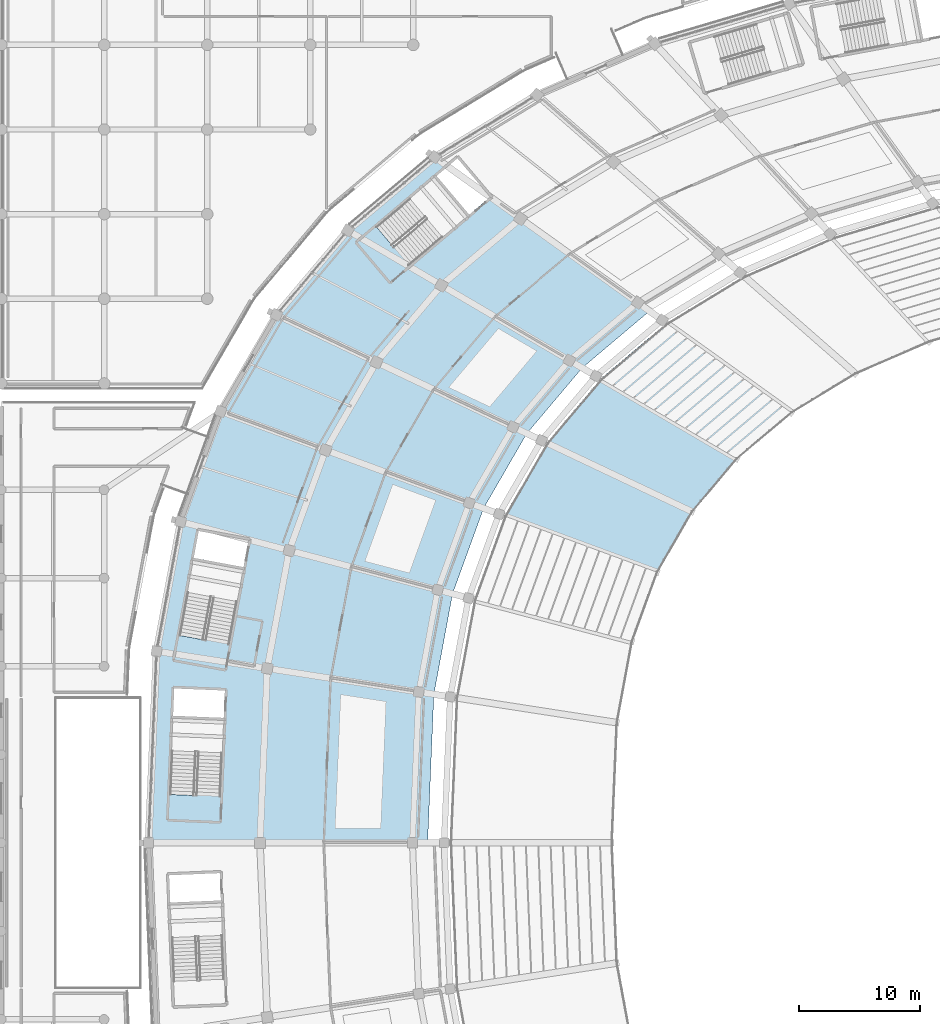
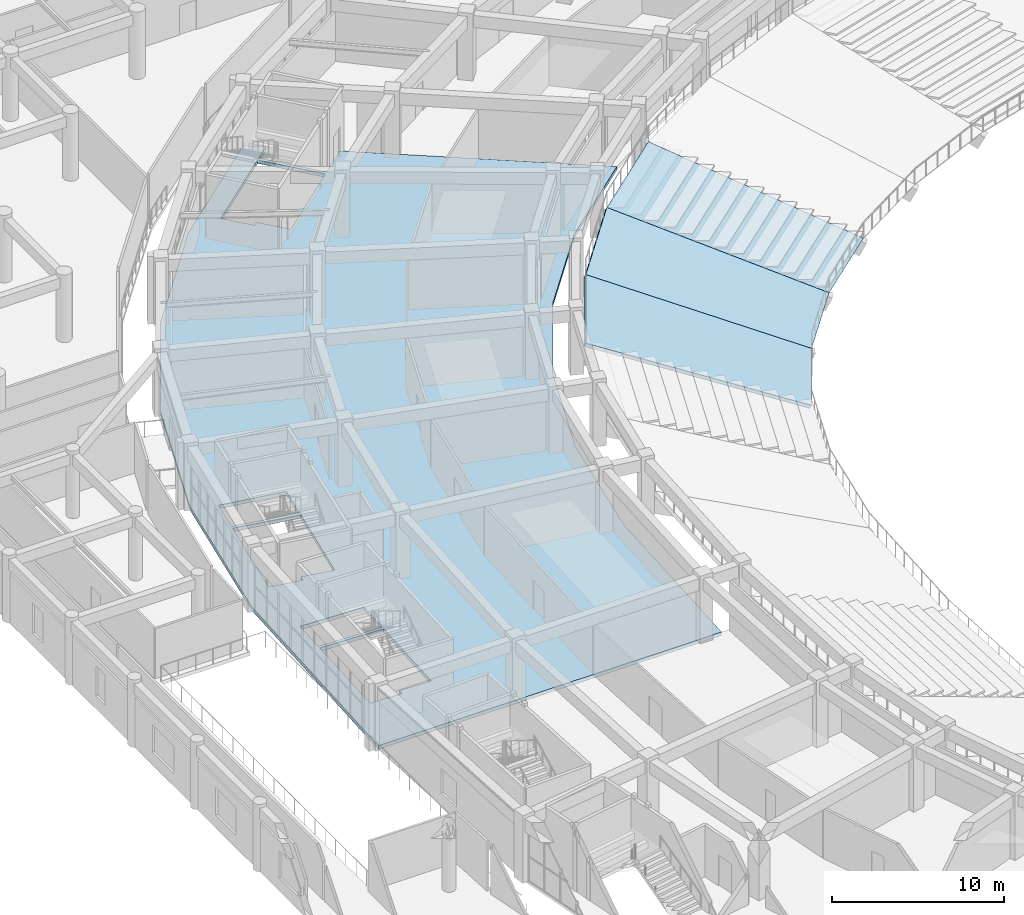
# One storey, part 82 of 152: 4 slabs.
"""IFC4 building model written with IfcOpenShell, lengths in metres."""

from ifc_helpers import new_model, si_unit, direction, frame, origin, place, context, subcontext, project, spatial, polyline, outline, extrude, material, layer, layer_set, type_object, element, save


model = new_model("IFC4")

# Units and contexts
model_context = context("Model", 3, precision=1e-05, world=origin(), true_north=direction((0.0, 1.0)))
body_context = subcontext(model_context, "Body", "Model", "MODEL_VIEW")
ifc_project = project(units=[si_unit("LENGTHUNIT", "METRE"), si_unit("AREAUNIT", "SQUARE_METRE"), si_unit("VOLUMEUNIT", "CUBIC_METRE"), si_unit("PLANEANGLEUNIT", "RADIAN"), si_unit("MASSUNIT", "GRAM", prefix="KILO")], contexts=[model_context])

# Site, building, storey
site_placement = place(None, origin())
site = spatial("IfcSite", under=ifc_project, at=site_placement, CompositionType="ELEMENT")
building_placement = place(site_placement, origin())
building = spatial("IfcBuilding", under=site, at=building_placement, Name="Mphavela Belvedere Stadium", CompositionType="ELEMENT")
storey_placement = place(building_placement, frame((0.0, 0.0, 5.39990234375)))
storey = spatial("IfcBuildingStorey", under=building, at=storey_placement, Name="L01", CompositionType="ELEMENT", Elevation=5.39990234375)

# Slabs
ifc_material_1 = material(Name="Concrete C40/50", Category="concrete")
ifc_layer_1 = layer(ifc_material_1, 0.25)
ifc_layer_set_1 = layer_set([ifc_layer_1], Name="Concrete C40/50")
slab_type_1 = type_object("IfcSlabType", Name="SLB-CONCOURSE-250", PredefinedType="FLOOR", material=ifc_layer_set_1)
slab_1_placement = place(storey_placement, frame((0.0, 0.0, -0.25)))
element("IfcSlab", 1, at=slab_1_placement, inside=storey, type_object=slab_type_1, Name="Concourse sector slab L01-S4", PredefinedType="FLOOR", context=body_context, shape_type="SweptSolid", body=[
    extrude(outline(polyline([(22.757568359375, 130.66162109375), (28.66162109375, 137.653564453125), (35.844482421875, 143.714599609375), (36.924560546875, 142.940673828125), (36.0, 142.160400390625), (38.702392578125, 138.958251953125), (40.4296875, 140.415771484375), (40.40087890625, 140.449951171875), (53.6171875, 130.98046875), (48.047119140625, 126.2802734375), (43.468505859375, 120.858154296875), (39.890869140625, 114.670654296875), (37.3251953125, 107.598388671875), (35.781494140625, 99.287353515625), (35.26611328125, 87.0), (12.179931640625, 87.0), (12.844482421875, 102.844970703125), (14.83544921875, 113.5625), (18.143798828125, 122.682373046875), (22.757568359375, 130.66162109375)]), holes=[polyline([(33.979248046875, 134.97265625), (38.5341796875, 138.81640625), (35.83203125, 142.0185546875), (31.020263671875, 137.9580078125), (32.371337890625, 136.35693359375), (32.628173828125, 136.57373046875), (33.979248046875, 134.97265625)]), polyline([(16.785888671875, 103.780517578125), (16.84716796875, 104.11083984375), (18.906982421875, 103.728515625), (19.9951171875, 109.58837890625), (15.87548828125, 110.353271484375), (14.72607421875, 104.1630859375), (16.785888671875, 103.780517578125)]), polyline([(20.03515625, 109.8046875), (20.44775390625, 112.026611328125), (16.328125, 112.79150390625), (15.91552734375, 110.569580078125), (20.03515625, 109.8046875)]), polyline([(14.200439453125, 97.29345703125), (13.936767578125, 91.0029296875), (16.030029296875, 90.915283203125), (16.044189453125, 91.2509765625), (18.13720703125, 91.1630859375), (18.38671875, 97.117919921875), (14.200439453125, 97.29345703125)]), polyline([(14.30419921875, 99.771240234375), (14.209716796875, 97.51318359375), (18.39599609375, 97.337890625), (18.490478515625, 99.595703125), (14.30419921875, 99.771240234375)])]), origin(), (0.0, 0.0, 1.0), 0.25),
])
ifc_material_2 = material(Name="Precast concrete C45/55", Category="concrete")
ifc_layer_2 = layer(ifc_material_2, 0.25)
ifc_layer_set_2 = layer_set([ifc_layer_2], Name="Precast concrete C45/55")
slab_type_2 = type_object("IfcSlabType", Name="SLB-TIER-LOWER", PredefinedType="USERDEFINED", material=ifc_layer_set_2)
slab_2_placement = place(storey_placement, frame((65.341064453125, 122.580322265625, -4.099853515625), z_axis=(0.284611104244, -0.337287104358, 0.897348276075), x_axis=(-0.764254694135, -0.644914538872, -6.669598e-06)))
element("IfcSlab", 2, at=slab_2_placement, inside=storey, type_object=slab_type_2, Name="Lower seating tier slab L01-19", ObjectType="SEATING TIER", PredefinedType="USERDEFINED", context=body_context, shape_type="SweptSolid", body=[
    extrude(outline(polyline([(0.0, 0.0), (5.896092000140836, -4.440892098500626e-16), (10.202145984126567, -13.595635839857422), (3.091369793923254, -13.595439270528502), (0.0, 0.0)])), origin(), (0.0, 0.0, -1.0), 0.25),
])
slab_3_placement = place(storey_placement, frame((60.8349609375, 118.77783203125, -4.099853515625), z_axis=(0.325335055916, -0.274715889253, 0.904813948602), x_axis=(-0.645175251846, -0.764034615948, 6.274985e-06)))
element("IfcSlab", 3, at=slab_3_placement, inside=storey, type_object=slab_type_2, Name="Lower seating tier slab L01-20", ObjectType="SEATING TIER", PredefinedType="USERDEFINED", context=body_context, shape_type="SweptSolid", body=[
    extrude(outline(polyline([(0.0, 0.0), (5.741213101986478, 0.0), (9.121451383033312, -14.090751972223927), (2.197467575417814, -14.090938615235588), (0.0, 0.0)])), origin(), (0.0, 0.0, -1.0), 0.25),
])
slab_4_placement = place(storey_placement, frame((57.130859375, 114.391357421875, -4.099853515625), z_axis=(0.3594604756, -0.207838915334, 0.909720370089), x_axis=(-0.500540449389, -0.865713150242, -4.808227e-06)))
element("IfcSlab", 4, at=slab_4_placement, inside=storey, type_object=slab_type_2, Name="Lower seating tier slab L01-21", ObjectType="SEATING TIER", PredefinedType="USERDEFINED", context=body_context, shape_type="SweptSolid", body=[
    extrude(outline(polyline([(0.0, 0.0), (5.7823460595882405, -8.881784197001252e-16), (8.05572788755828, -14.450213997594643), (1.0820750251183464, -14.450066284278886), (0.0, 0.0)])), origin(), (0.0, 0.0, -1.0), 0.25),
])

save(model, "model.ifc")
